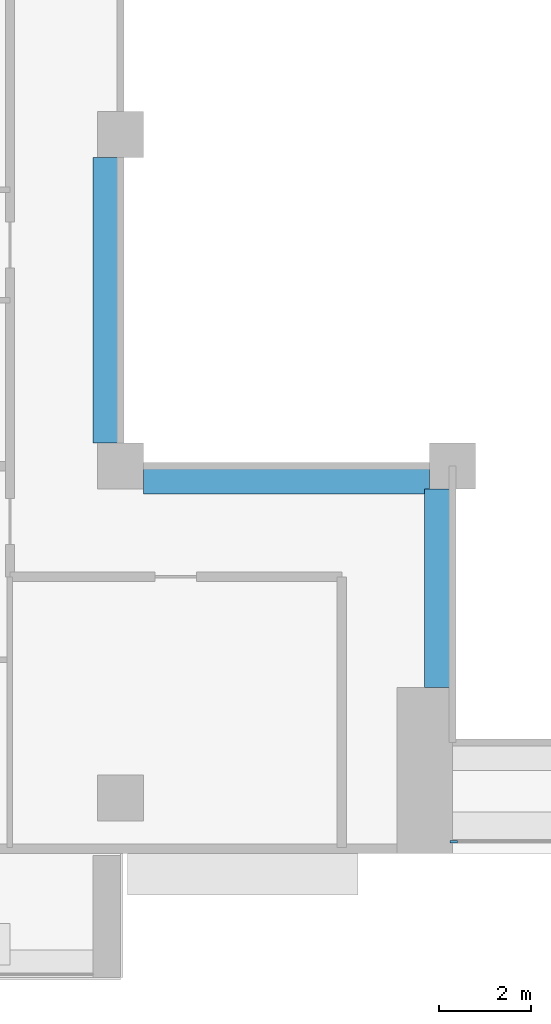
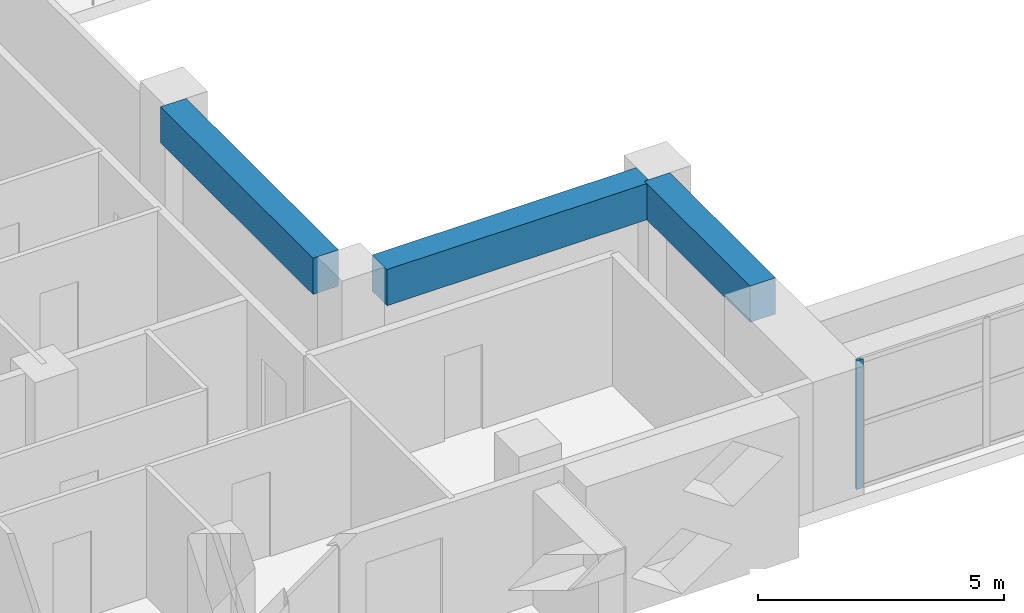
# One storey, part 2 of 20: 3 beams, 1 member, 1 element without a shape of its own.
"""IFC4 building model written with IfcOpenShell, lengths in metres."""

from ifc_helpers import new_model, si_unit, direction, frame, origin, origin_2d, place, context, subcontext, project, spatial, rectangle, extrude, source, transform, mapped, material, layer, layer_set, material_profile, profile_set, type_object, element, aggregate, save


model = new_model("IFC4")

# Units and contexts
model_context = context("Model", 3, precision=1e-05, world=origin(), true_north=direction((0.0, 1.0)))
body_context = subcontext(model_context, "Body", "Model", "MODEL_VIEW")
ifc_project = project(units=[si_unit("LENGTHUNIT", "METRE"), si_unit("AREAUNIT", "SQUARE_METRE"), si_unit("VOLUMEUNIT", "CUBIC_METRE"), si_unit("PLANEANGLEUNIT", "RADIAN"), si_unit("MASSUNIT", "GRAM", prefix="KILO")], contexts=[model_context])

# Site, building, storey
site_placement = place(None, origin())
site = spatial("IfcSite", under=ifc_project, at=site_placement, CompositionType="ELEMENT")
building_placement = place(site_placement, origin())
building = spatial("IfcBuilding", under=site, at=building_placement, Name="Saffron Iwan Residences", CompositionType="ELEMENT")
storey_placement = place(building_placement, frame((0.0, 0.0, 150.0)))
storey = spatial("IfcBuildingStorey", under=building, at=storey_placement, Name="L39", CompositionType="ELEMENT", Elevation=150.0)

# Beams
ifc_material_1 = material(Name="Concrete C50/60", Category="concrete")
ifc_material_profile_1 = material_profile(ifc_material_1, rectangle(XDim=0.60009765625, YDim=0.89990234375, at=origin_2d()), Name="RC 600x900")
ifc_profile_set_1 = profile_set([ifc_material_profile_1], Name="Concrete C50/60")
beam_type = type_object("IfcBeamType", Name="BEAM RC 600x900 C50/60 TOP 3200", PredefinedType="BEAM", material=ifc_profile_set_1)
shared_shape_1 = source(origin(), body_context, "Body", "SweptSolid", [
    extrude(rectangle(XDim=0.60009765625, YDim=0.89990234375, at=origin_2d()), origin(), (0.0, 0.0, 1.0), 4.300048828125),
])
beam_placement = place(storey_placement, frame((42.89990234375, 43.199951171875, 2.75), z_axis=(0.0, 1.0, 0.0), x_axis=(-1.0, 0.0, 0.0)))
element("IfcBeam", 1, at=beam_placement, inside=storey, type_object=beam_type, Name="Atrium edge beam", PredefinedType="BEAM", context=body_context, shape_type="MappedRepresentation", body=[
    mapped(shared_shape_1, transform((0.0, 0.0, 0.0))),
])
shared_shape_2 = source(origin(), body_context, "Body", "SweptSolid", [
    extrude(rectangle(XDim=0.60009765625, YDim=0.89990234375, at=origin_2d()), origin(), (0.0, 0.0, 1.0), 6.199951171875),
])
for number, where, z_axis, x_axis, name in (
    (2, (42.699951171875, 47.699951171875, 2.75), (-1.0, 0.0, 0.0), (0.0, -1.0, 0.0), "Atrium edge beam"),
    (3, (35.699951171875, 48.5, 2.75), (0.0, 1.0, 0.0), (-1.0, 0.0, 0.0), "Atrium edge beam"),
):
    element("IfcBeam", number, at=place(storey_placement, frame(where, z_axis=z_axis, x_axis=x_axis)), inside=storey, type_object=beam_type, Name=name, PredefinedType="BEAM", context=body_context, shape_type="MappedRepresentation", body=[
        mapped(shared_shape_2, transform((0.0, 0.0, 0.0))),
    ])

# Curtain wall, member
ifc_material_2 = material(Name="Clear glass, laminated double glazed", Category="glass")
ifc_layer = layer(ifc_material_2, 0.199951171875)
ifc_layer_set = layer_set([ifc_layer], Name="Clear glass, laminated double glazed")
curtain_wall_type = type_object("IfcCurtainWallType", Name="CW-B IWAN PORTAL", PredefinedType="NOTDEFINED", material=ifc_layer_set)
curtain_wall_placement = place(storey_placement, origin())
curtain_wall = element("IfcCurtainWall", 4, at=curtain_wall_placement, inside=storey, type_object=curtain_wall_type, Name="Iwan portal glazing L39.1", PredefinedType="NOTDEFINED")
ifc_material_3 = material(Name="Aluminium 6063-T6", Category="aluminium")
ifc_material_profile_2 = material_profile(ifc_material_3, rectangle(XDim=0.06005859375, YDim=0.159912109375, at=origin_2d()), Name="CW-B MULLION 60 x 160")
ifc_profile_set_2 = profile_set([ifc_material_profile_2], Name="Aluminium 6063-T6")
member_type = type_object("IfcMemberType", Name="CW-B MULLION 60 x 160", PredefinedType="MULLION", material=ifc_profile_set_2)
shared_shape_3 = source(origin(), body_context, "Body", "SweptSolid", [
    extrude(rectangle(XDim=0.06005859375, YDim=0.159912109375, at=origin_2d()), origin(), (0.0, 0.0, 1.0), 3.199951171875),
])
member_placement = place(storey_placement, frame((43.22998046875, 39.85009765625, 0.0), z_axis=(0.0, 0.0, 1.0), x_axis=(0.0, 1.0, 0.0)))
member = element("IfcMember", 5, at=member_placement, type_object=member_type, Name="CW-B mullion 1", PredefinedType="MULLION", context=body_context, shape_type="MappedRepresentation", body=[
    mapped(shared_shape_3, transform((0.0, 0.0, 0.0))),
])
aggregate(curtain_wall, [member])

save(model, "model.ifc")
